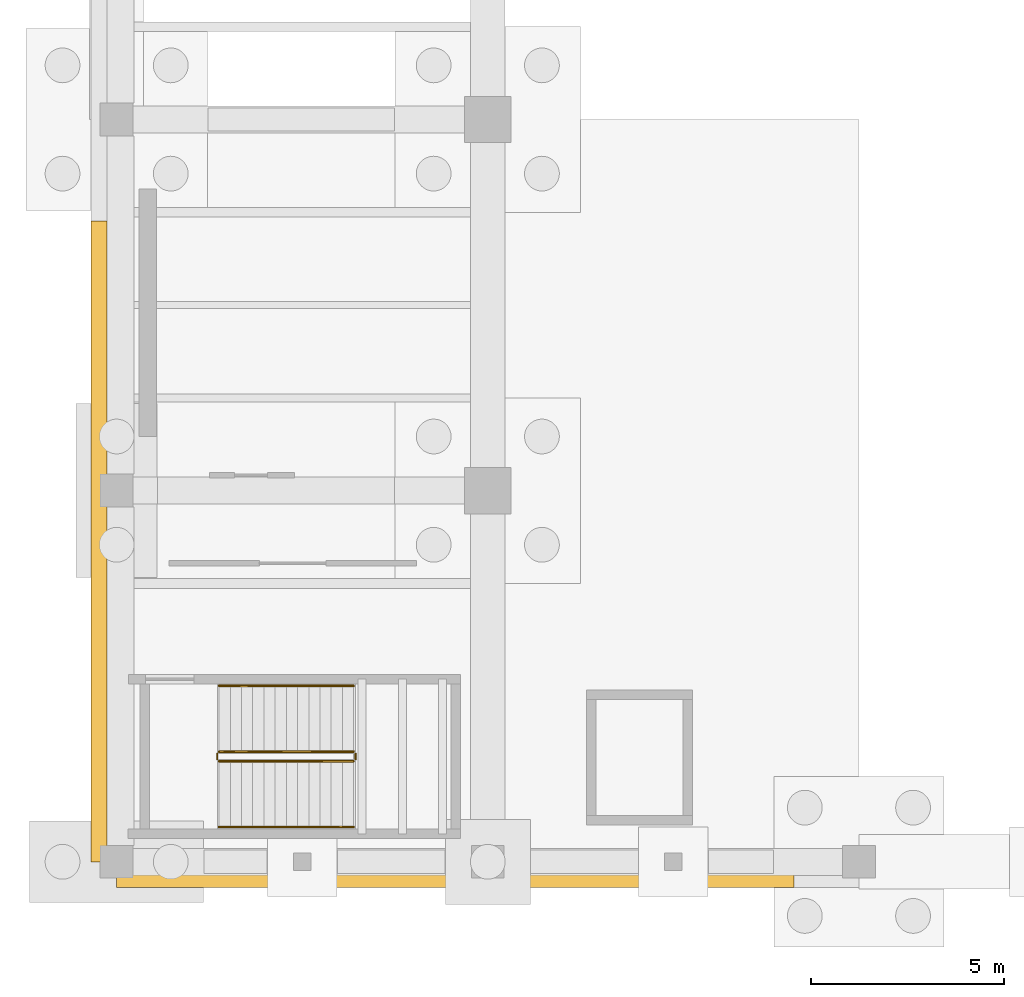
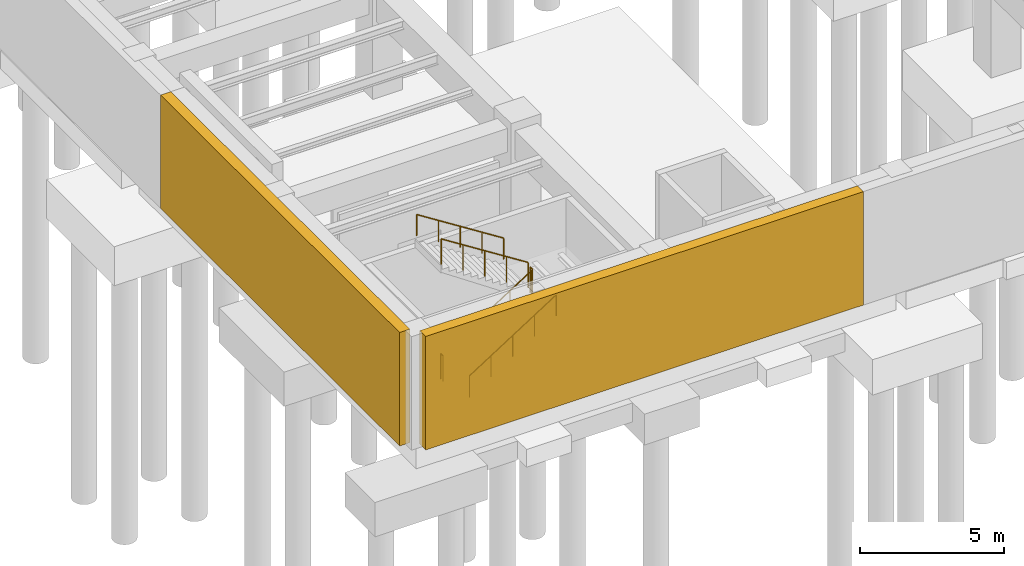
# One storey, part 43 of 56: 6 railings, 2 coverings.
"""IFC4 building model written with IfcOpenShell, lengths in metres."""

from ifc_helpers import new_model, si_unit, direction, frame, origin, origin_2d, place, context, subcontext, project, spatial, polyline, circle, outline, extrude, material, layer, layer_set, type_object, element, save


model = new_model("IFC4")

# Units and contexts
model_context = context("Model", 3, precision=1e-05, world=origin(), true_north=direction((0.0, 1.0)))
body_context = subcontext(model_context, "Body", "Model", "MODEL_VIEW")
ifc_project = project(units=[si_unit("LENGTHUNIT", "METRE"), si_unit("AREAUNIT", "SQUARE_METRE"), si_unit("VOLUMEUNIT", "CUBIC_METRE"), si_unit("PLANEANGLEUNIT", "RADIAN"), si_unit("MASSUNIT", "GRAM", prefix="KILO")], contexts=[model_context])

# Site, building, storey
site_placement = place(None, origin())
site = spatial("IfcSite", under=ifc_project, at=site_placement, CompositionType="ELEMENT")
building_placement = place(site_placement, origin())
building = spatial("IfcBuilding", under=site, at=building_placement, Name="Mavantir Sound Aquarium", CompositionType="ELEMENT")
storey_placement = place(building_placement, frame((0.0, 0.0, -9.60009765625)))
storey = spatial("IfcBuildingStorey", under=building, at=storey_placement, Name="B2", CompositionType="ELEMENT", Elevation=-9.60009765625)

# Coverings
ifc_material_1 = material(Name="Honed Coral-Limestone & Glazed Terracotta Rainscreen Cladding", Category="masonry")
ifc_layer = layer(ifc_material_1, 0.06005859375, Name="Honed Coral-Limestone & Glazed Terracotta Rainscreen Cladding")
ifc_layer_set = layer_set([ifc_layer], Name="Honed Coral-Limestone & Glazed Terracotta Rainscreen Cladding")
covering_type = type_object("IfcCoveringType", Name="COV-CLAD-TC", PredefinedType="CLADDING", material=ifc_layer_set)
covering_1_placement = place(storey_placement, origin())
element("IfcCovering", 1, at=covering_1_placement, inside=storey, type_object=covering_type, Name="B2 rusticated coral-stone plinth cladding 42", PredefinedType="CLADDING", context=body_context, shape_type="SweptSolid", body=[
    extrude(outline(polyline([(-0.25, 16.5712890625), (-0.25, 0.0), (-0.659912109375, 0.0), (-0.659912109375, 16.5712890625), (-0.25, 16.5712890625)])), origin(), (0.0, 0.0, 1.0), 4.800048828125),
])
covering_2_placement = place(storey_placement, origin())
element("IfcCovering", 2, at=covering_2_placement, inside=storey, type_object=covering_type, Name="B2 rusticated coral-stone plinth cladding 43", PredefinedType="CLADDING", context=body_context, shape_type="SweptSolid", body=[
    extrude(outline(polyline([(0.0, -0.25), (17.52001953125, -0.25), (17.52001953125, -0.659912109375), (0.0, -0.659912109375), (0.0, -0.25)])), origin(), (0.0, 0.0, 1.0), 4.800048828125),
])

# Railings
ifc_material_2 = material(Name="Stainless Steel 316 and Laminated Glass Guardrail", Category="steel")
railing_type_1 = type_object("IfcRailingType", Name="RL-GUARD-110", PredefinedType="GUARDRAIL", material=ifc_material_2)
railing_1_placement = place(storey_placement, frame((2.64990234375, 2.60009765625, 0.184814453125)))
element("IfcRailing", 3, at=railing_1_placement, inside=storey, type_object=railing_type_1, Name="B2 ST3 stair guard 1", PredefinedType="GUARDRAIL", context=body_context, shape_type="SweptSolid", body=[
    extrude(circle(Radius=0.02392578125, at=origin_2d()), frame((0.0, 0.0, 1.076171875), z_axis=(0.843573748531, 0.0, 0.537013343214), x_axis=(0.0, 1.0, 0.0)), (0.0, 0.0, 1.0), 4.125244140625),
    extrude(circle(Radius=0.02099609375, at=origin_2d()), origin(), (0.0, 0.0, 1.0), 1.052001953125),
    extrude(circle(Radius=0.02099609375, at=origin_2d()), frame((0.8701171875, 0.0, 0.5537109375)), (0.0, 0.0, 1.0), 1.052001953125),
    extrude(circle(Radius=0.02099609375, at=origin_2d()), frame((1.739990234375, 0.0, 1.107666015625)), (0.0, 0.0, 1.0), 1.052001953125),
    extrude(circle(Radius=0.02099609375, at=origin_2d()), frame((2.60986328125, 0.0, 1.66162109375)), (0.0, 0.0, 1.0), 1.052001953125),
    extrude(circle(Radius=0.02099609375, at=origin_2d()), frame((3.47998046875, 0.0, 2.21533203125)), (0.0, 0.0, 1.0), 1.052001953125),
])
railing_2_placement = place(storey_placement, frame((6.179931640625, 2.64990234375, 2.400146484375)))
element("IfcRailing", 4, at=railing_2_placement, inside=storey, type_object=railing_type_1, Name="B2 ST3 stair guard 2", PredefinedType="GUARDRAIL", context=body_context, shape_type="SweptSolid", body=[
    extrude(circle(Radius=0.02392578125, at=origin_2d()), frame((0.0, 0.0, 1.076171875), z_axis=(0.0, 1.0, 0.0), x_axis=(-1.0, 0.0, 0.0)), (0.0, 0.0, 1.0), 0.150146484375),
    extrude(circle(Radius=0.02099609375, at=origin_2d()), origin(), (0.0, 0.0, 1.0), 1.052001953125),
    extrude(circle(Radius=0.02099609375, at=origin_2d()), frame((0.0, 0.150146484375, 0.0)), (0.0, 0.0, 1.0), 1.052001953125),
])
railing_3_placement = place(storey_placement, frame((6.1298828125, 2.85009765625, 2.584716796875)))
element("IfcRailing", 5, at=railing_3_placement, inside=storey, type_object=railing_type_1, Name="B2 ST3 stair guard 3", PredefinedType="GUARDRAIL", context=body_context, shape_type="SweptSolid", body=[
    extrude(circle(Radius=0.02392578125, at=origin_2d()), frame((0.0, 0.0, 1.076171875), z_axis=(-0.843573748531, 0.0, 0.537013343214), x_axis=(0.0, -1.0, 0.0)), (0.0, 0.0, 1.0), 4.125244140625),
    extrude(circle(Radius=0.02099609375, at=origin_2d()), origin(), (0.0, 0.0, 1.0), 1.052001953125),
    extrude(circle(Radius=0.02099609375, at=origin_2d()), frame((-0.8701171875, 0.0, 0.5537109375)), (0.0, 0.0, 1.0), 1.052001953125),
    extrude(circle(Radius=0.02099609375, at=origin_2d()), frame((-1.739990234375, 0.0, 1.107666015625)), (0.0, 0.0, 1.0), 1.052001953125),
    extrude(circle(Radius=0.02099609375, at=origin_2d()), frame((-2.60986328125, 0.0, 1.66162109375)), (0.0, 0.0, 1.0), 1.052001953125),
    extrude(circle(Radius=0.02099609375, at=origin_2d()), frame((-3.47998046875, 0.0, 2.21533203125)), (0.0, 0.0, 1.0), 1.052001953125),
])
railing_4_placement = place(storey_placement, frame((2.60009765625, 2.64990234375, 0.0)))
element("IfcRailing", 6, at=railing_4_placement, inside=storey, type_object=railing_type_1, Name="B2 ST3 stair guard 4", PredefinedType="GUARDRAIL", context=body_context, shape_type="SweptSolid", body=[
    extrude(circle(Radius=0.02392578125, at=origin_2d()), frame((0.0, 0.0, 1.076171875), z_axis=(0.0, 1.0, 0.0), x_axis=(-1.0, 0.0, 0.0)), (0.0, 0.0, 1.0), 0.150146484375),
    extrude(circle(Radius=0.02099609375, at=origin_2d()), origin(), (0.0, 0.0, 1.0), 1.052001953125),
    extrude(circle(Radius=0.02099609375, at=origin_2d()), frame((0.0, 0.150146484375, 0.0)), (0.0, 0.0, 1.0), 1.052001953125),
])
ifc_material_3 = material(Name="Brushed Stainless Steel 316 Handrail", Category="steel")
railing_type_2 = type_object("IfcRailingType", Name="RL-HR-90", PredefinedType="HANDRAIL", material=ifc_material_3)
railing_5_placement = place(storey_placement, frame((2.64990234375, 0.89990234375, 0.36962890625)))
element("IfcRailing", 7, at=railing_5_placement, inside=storey, type_object=railing_type_2, Name="B2 ST3 stair handrail 1", PredefinedType="HANDRAIL", context=body_context, shape_type="SweptSolid", body=[
    extrude(circle(Radius=0.02392578125, at=origin_2d()), frame((0.0, 0.0, 0.89111328125), z_axis=(0.843546938479, 0.0, 0.53705545578), x_axis=(0.0, 1.0, 0.0)), (0.0, 0.0, 1.0), 4.12548828125),
    extrude(circle(Radius=0.02099609375, at=origin_2d()), origin(), (0.0, 0.0, 1.0), 0.866943359375),
    extrude(circle(Radius=0.02099609375, at=origin_2d()), frame((0.8701171875, 0.0, 0.553955078125)), (0.0, 0.0, 1.0), 0.866943359375),
    extrude(circle(Radius=0.02099609375, at=origin_2d()), frame((1.739990234375, 0.0, 1.10791015625)), (0.0, 0.0, 1.0), 0.866943359375),
    extrude(circle(Radius=0.02099609375, at=origin_2d()), frame((2.60986328125, 0.0, 1.66162109375)), (0.0, 0.0, 1.0), 0.866943359375),
    extrude(circle(Radius=0.02099609375, at=origin_2d()), frame((3.47998046875, 0.0, 2.215576171875)), (0.0, 0.0, 1.0), 0.866943359375),
])
railing_6_placement = place(storey_placement, frame((6.1298828125, 4.550048828125, 2.769775390625)))
element("IfcRailing", 8, at=railing_6_placement, inside=storey, type_object=railing_type_2, Name="B2 ST3 stair handrail 2", PredefinedType="HANDRAIL", context=body_context, shape_type="SweptSolid", body=[
    extrude(circle(Radius=0.02392578125, at=origin_2d()), frame((0.0, 0.0, 0.89111328125), z_axis=(-0.843573748531, 0.0, 0.537013343214), x_axis=(0.0, -1.0, 0.0)), (0.0, 0.0, 1.0), 4.125244140625),
    extrude(circle(Radius=0.02099609375, at=origin_2d()), origin(), (0.0, 0.0, 1.0), 0.866943359375),
    extrude(circle(Radius=0.02099609375, at=origin_2d()), frame((-0.8701171875, 0.0, 0.5537109375)), (0.0, 0.0, 1.0), 0.866943359375),
    extrude(circle(Radius=0.02099609375, at=origin_2d()), frame((-1.739990234375, 0.0, 1.107666015625)), (0.0, 0.0, 1.0), 0.866943359375),
    extrude(circle(Radius=0.02099609375, at=origin_2d()), frame((-2.60986328125, 0.0, 1.66162109375)), (0.0, 0.0, 1.0), 0.866943359375),
    extrude(circle(Radius=0.02099609375, at=origin_2d()), frame((-3.47998046875, 0.0, 2.21533203125)), (0.0, 0.0, 1.0), 0.866943359375),
])

save(model, "model.ifc")
